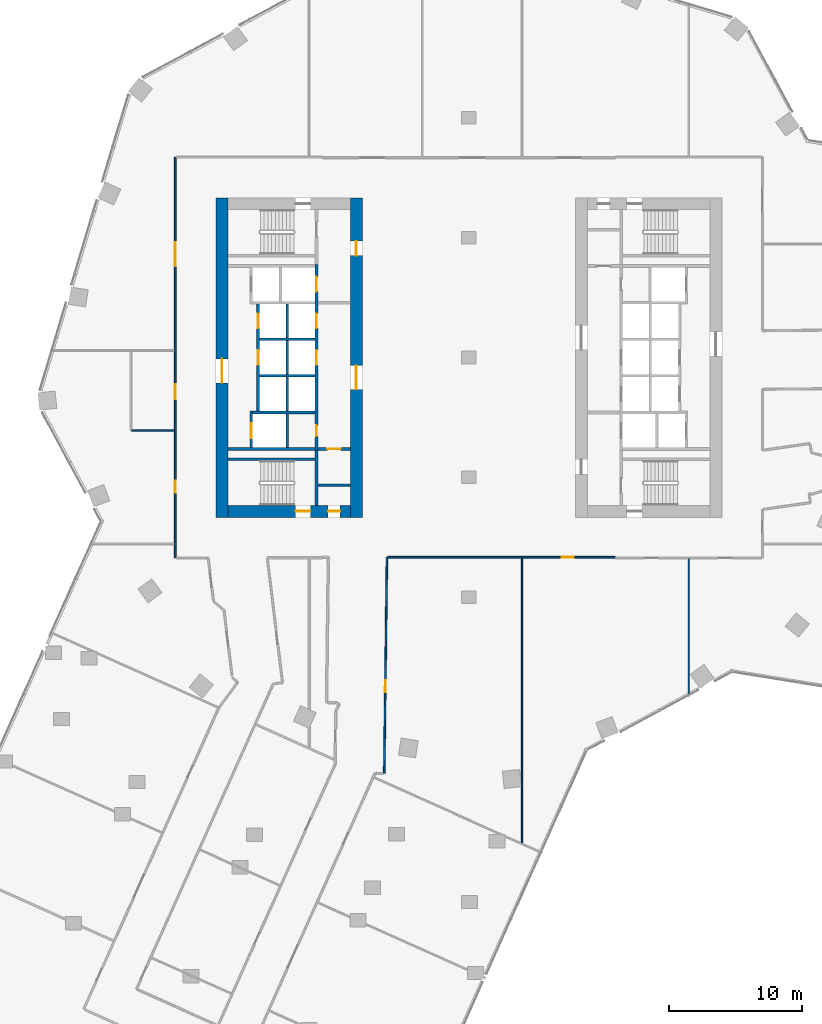
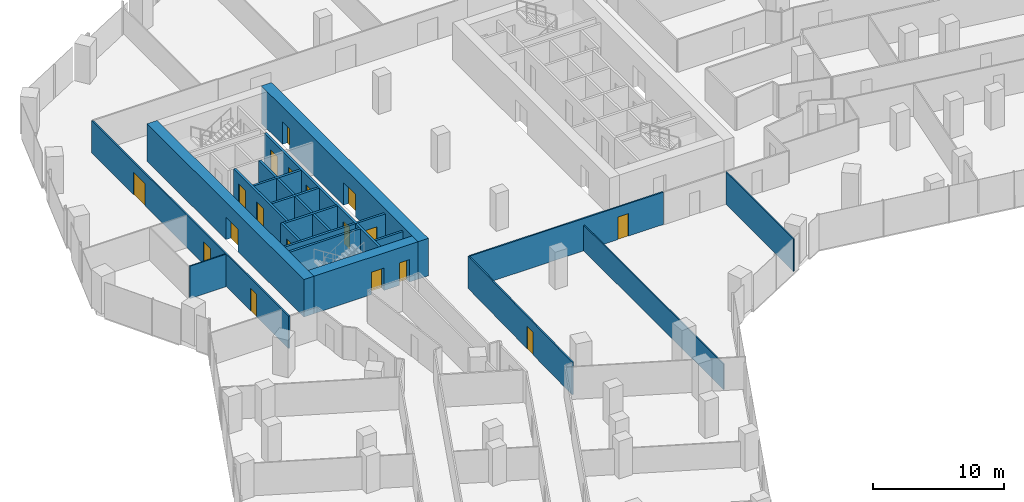
# One storey, part 26 of 34: 24 walls, 18 doors, 18 openings.
"""IFC4 building model written with IfcOpenShell, lengths in metres."""

from ifc_helpers import new_model, si_unit, direction, frame, frame_2d, origin, place, context, subcontext, project, spatial, rectangle, extrude, material, layer, layer_set, type_object, element, fill, save


model = new_model("IFC4")

# Units and contexts
model_context = context("Model", 3, precision=1e-05, world=origin(), true_north=direction((0.0, 1.0)))
body_context = subcontext(model_context, "Body", "Model", "MODEL_VIEW")
ifc_project = project(units=[si_unit("LENGTHUNIT", "METRE"), si_unit("AREAUNIT", "SQUARE_METRE"), si_unit("VOLUMEUNIT", "CUBIC_METRE"), si_unit("PLANEANGLEUNIT", "RADIAN"), si_unit("MASSUNIT", "GRAM", prefix="KILO")], contexts=[model_context])

# Site, building, storey
site_placement = place(None, origin())
site = spatial("IfcSite", under=ifc_project, at=site_placement, CompositionType="ELEMENT")
building_placement = place(site_placement, origin())
building = spatial("IfcBuilding", under=site, at=building_placement, Name="Orlundy Tower", CompositionType="ELEMENT")
storey_placement = place(building_placement, frame((0.0, 0.0, 137.699951171875)))
storey = spatial("IfcBuildingStorey", under=building, at=storey_placement, Name="L35", CompositionType="ELEMENT", Elevation=137.699951171875)

# Wall, openings, doors
ifc_material_1 = material(Name="Concrete C80/95", Category="concrete")
ifc_layer_1 = layer(ifc_material_1, 0.89990234375)
ifc_layer_set_1 = layer_set([ifc_layer_1], Name="CORE WALL 900 C80/95")
wall_type_1 = type_object("IfcWallType", Name="CORE WALL 900 C80/95", PredefinedType="SHEAR", material=ifc_layer_set_1)
wall_1_placement = place(storey_placement, frame((-18.10009765625, -11.550048828125, 0.0), z_axis=(0.0, 0.0, 1.0), x_axis=(1.0, 0.0, 0.0)))
wall_1 = element("IfcWall", 1, at=wall_1_placement, inside=storey, type_object=wall_type_1, Name="Core wall W-S L35", PredefinedType="SHEAR", context=body_context, shape_type="SweptSolid", body=[
    extrude(rectangle(XDim=9.2001953125, YDim=0.89990234375, at=frame_2d((4.60009765625, 0.0))), origin(), (0.0, 0.0, 1.0), 3.5),
])
opening_1_placement = place(wall_1_placement, frame((5.10009765625, 0.0, 0.0)))
opening_1 = element("IfcOpeningElement", 2, at=opening_1_placement, cuts=wall_1, Name="Opening 26013", PredefinedType="OPENING", context=body_context, shape_type="SweptSolid", body=[
    extrude(rectangle(XDim=1.10009765625, YDim=2.10009765625, at=frame_2d((0.550048828125, 1.050048828125))), frame((0.0, 0.4599609375, 0.0), z_axis=(0.0, -1.0, 0.0), x_axis=(1.0, 0.0, 0.0)), (0.0, 0.0, 1.0), 0.919921875),
])
opening_2_placement = place(wall_1_placement, frame((7.530029296875, 0.0, 0.0)))
opening_2 = element("IfcOpeningElement", 3, at=opening_2_placement, cuts=wall_1, Name="Opening 26015", PredefinedType="OPENING", context=body_context, shape_type="SweptSolid", body=[
    extrude(rectangle(XDim=0.89990234375, YDim=2.10009765625, at=frame_2d((0.449951171875, 1.050048828125))), frame((0.0, 0.4599609375, 0.0), z_axis=(0.0, -1.0, 0.0), x_axis=(1.0, 0.0, 0.0)), (0.0, 0.0, 1.0), 0.919921875),
])
ifc_material_2 = material(Name="Timber door set", Category="wood")
door_type_1 = type_object("IfcDoorType", Name="Room Door 900x2100", OperationType="SINGLE_SWING_LEFT", PredefinedType="DOOR", material=ifc_material_2)
door_1_placement = place(opening_2_placement, origin())
door_1 = element("IfcDoor", 4, at=door_1_placement, inside=storey, type_object=door_type_1, Name="Store door 26015", OperationType="SINGLE_SWING_RIGHT", OverallHeight=2.10009765625, OverallWidth=0.89990234375, PredefinedType="DOOR", context=body_context, shape_type="SweptSolid", body=[
    extrude(rectangle(XDim=0.89990234375, YDim=2.10009765625, at=frame_2d((0.449951171875, 1.050048828125))), frame((0.0, 0.02490234375, 0.0), z_axis=(0.0, -1.0, 0.0), x_axis=(1.0, 0.0, 0.0)), (0.0, 0.0, 1.0), 0.050048828125),
])
fill(opening_2, door_1)
ifc_material_3 = material(Name="Steel door set", Category="steel")
door_type_2 = type_object("IfcDoorType", Name="Stair Door 1100x2100", OperationType="SINGLE_SWING_LEFT", PredefinedType="DOOR", material=ifc_material_3)
door_2_placement = place(opening_1_placement, origin())
door_2 = element("IfcDoor", 5, at=door_2_placement, inside=storey, type_object=door_type_2, Name="Stair door 26013", OperationType="SINGLE_SWING_RIGHT", OverallHeight=2.10009765625, OverallWidth=1.10009765625, PredefinedType="DOOR", context=body_context, shape_type="SweptSolid", body=[
    extrude(rectangle(XDim=1.10009765625, YDim=2.10009765625, at=frame_2d((0.550048828125, 1.050048828125))), frame((0.0, 0.02490234375, 0.0), z_axis=(0.0, -1.0, 0.0), x_axis=(1.0, 0.0, 0.0)), (0.0, 0.0, 1.0), 0.050048828125),
])
fill(opening_1, door_2)

# Wall, opening, door
wall_2_placement = place(storey_placement, frame((-18.550048828125, -12.0, 0.0), z_axis=(0.0, 0.0, 1.0), x_axis=(0.0, 1.0, 0.0)))
wall_2 = element("IfcWall", 6, at=wall_2_placement, inside=storey, type_object=wall_type_1, Name="Core wall W-W L35", PredefinedType="SHEAR", context=body_context, shape_type="SweptSolid", body=[
    extrude(rectangle(XDim=24.0, YDim=0.89990234375, at=frame_2d((12.0, 0.0))), origin(), (0.0, 0.0, 1.0), 3.5),
])
opening_3_placement = place(wall_2_placement, frame((10.10009765625, 0.0, 0.0)))
opening_3 = element("IfcOpeningElement", 7, at=opening_3_placement, cuts=wall_2, Name="Opening 26010", PredefinedType="OPENING", context=body_context, shape_type="SweptSolid", body=[
    extrude(rectangle(XDim=1.800048828125, YDim=2.10009765625, at=frame_2d((0.89990234375, 1.050048828125))), frame((0.0, 0.4599609375, 0.0), z_axis=(0.0, -1.0, 0.0), x_axis=(1.0, 0.0, 0.0)), (0.0, 0.0, 1.0), 0.919921875),
])
ifc_material_4 = material(Name="Timber door set", Category="wood")
door_type_3 = type_object("IfcDoorType", Name="Lobby Door 1800x2100", OperationType="DOUBLE_DOOR_DOUBLE_SWING", PredefinedType="DOOR", material=ifc_material_4)
door_3_placement = place(opening_3_placement, origin())
door_3 = element("IfcDoor", 8, at=door_3_placement, inside=storey, type_object=door_type_3, Name="Lift lobby door 26010", OperationType="SINGLE_SWING_LEFT", OverallHeight=2.10009765625, OverallWidth=1.800048828125, PredefinedType="DOOR", context=body_context, shape_type="SweptSolid", body=[
    extrude(rectangle(XDim=1.800048828125, YDim=2.10009765625, at=frame_2d((0.89990234375, 1.050048828125))), frame((0.0, 0.02490234375, 0.0), z_axis=(0.0, -1.0, 0.0), x_axis=(1.0, 0.0, 0.0)), (0.0, 0.0, 1.0), 0.050048828125),
])
fill(opening_3, door_3)

# Wall, openings, doors
wall_3_placement = place(storey_placement, frame((-8.449951171875, -12.0, 0.0), z_axis=(0.0, 0.0, 1.0), x_axis=(0.0, 1.0, 0.0)))
wall_3 = element("IfcWall", 9, at=wall_3_placement, inside=storey, type_object=wall_type_1, Name="Core wall W-E L35", PredefinedType="SHEAR", context=body_context, shape_type="SweptSolid", body=[
    extrude(rectangle(XDim=24.0, YDim=0.89990234375, at=frame_2d((12.0, 0.0))), origin(), (0.0, 0.0, 1.0), 3.5),
])
opening_4_placement = place(wall_3_placement, frame((9.60009765625, 0.0, 0.0)))
opening_4 = element("IfcOpeningElement", 10, at=opening_4_placement, cuts=wall_3, Name="Opening 26009", PredefinedType="OPENING", context=body_context, shape_type="SweptSolid", body=[
    extrude(rectangle(XDim=1.800048828125, YDim=2.10009765625, at=frame_2d((0.89990234375, 1.050048828125))), frame((0.0, 0.4599609375, 0.0), z_axis=(0.0, -1.0, 0.0), x_axis=(1.0, 0.0, 0.0)), (0.0, 0.0, 1.0), 0.919921875),
])
opening_5_placement = place(wall_3_placement, frame((19.64990234375, 0.0, 0.0)))
opening_5 = element("IfcOpeningElement", 11, at=opening_5_placement, cuts=wall_3, Name="Opening 26011", PredefinedType="OPENING", context=body_context, shape_type="SweptSolid", body=[
    extrude(rectangle(XDim=1.10009765625, YDim=2.10009765625, at=frame_2d((0.550048828125, 1.050048828125))), frame((0.0, 0.4599609375, 0.0), z_axis=(0.0, -1.0, 0.0), x_axis=(1.0, 0.0, 0.0)), (0.0, 0.0, 1.0), 0.919921875),
])
ifc_material_5 = material(Name="Steel door set", Category="steel")
door_type_4 = type_object("IfcDoorType", Name="Fire-fighting Lobby Door 1100x2100", OperationType="SINGLE_SWING_LEFT", PredefinedType="DOOR", material=ifc_material_5)
door_4_placement = place(opening_5_placement, origin())
door_4 = element("IfcDoor", 12, at=door_4_placement, inside=storey, type_object=door_type_4, Name="Fire-fighting lobby door 26011", OperationType="SINGLE_SWING_RIGHT", OverallHeight=2.10009765625, OverallWidth=1.10009765625, PredefinedType="DOOR", context=body_context, shape_type="SweptSolid", body=[
    extrude(rectangle(XDim=1.10009765625, YDim=2.10009765625, at=frame_2d((0.550048828125, 1.050048828125))), frame((0.0, 0.02490234375, 0.0), z_axis=(0.0, -1.0, 0.0), x_axis=(1.0, 0.0, 0.0)), (0.0, 0.0, 1.0), 0.050048828125),
])
fill(opening_5, door_4)
door_5_placement = place(opening_4_placement, origin())
door_5 = element("IfcDoor", 13, at=door_5_placement, inside=storey, type_object=door_type_3, Name="Lift lobby door 26009", OperationType="SINGLE_SWING_LEFT", OverallHeight=2.10009765625, OverallWidth=1.800048828125, PredefinedType="DOOR", context=body_context, shape_type="SweptSolid", body=[
    extrude(rectangle(XDim=1.800048828125, YDim=2.10009765625, at=frame_2d((0.89990234375, 1.050048828125))), frame((0.0, 0.02490234375, 0.0), z_axis=(0.0, -1.0, 0.0), x_axis=(1.0, 0.0, 0.0)), (0.0, 0.0, 1.0), 0.050048828125),
])
fill(opening_4, door_5)

# Walls
ifc_material_6 = material(Name="Gypsum board partition")
ifc_layer_2 = layer(ifc_material_6, 0.10009765625)
ifc_layer_set_2 = layer_set([ifc_layer_2], Name="Floor partition 100")
wall_type_2 = type_object("IfcWallType", Name="Floor partition 100", PredefinedType="PARTITIONING", material=ifc_layer_set_2)
wall_4_placement = place(storey_placement, frame((-25.33203125, -5.47509765625, 0.0), z_axis=(0.0, 0.0, 1.0), x_axis=(1.0, 0.0, 0.0)))
element("IfcWall", 14, at=wall_4_placement, inside=storey, type_object=wall_type_2, Name="wall-int-L35-037", PredefinedType="PARTITIONING", context=body_context, shape_type="SweptSolid", body=[
    extrude(rectangle(XDim=3.218994140625, YDim=0.10009765625, at=frame_2d((1.609375, 0.0))), origin(), (0.0, 0.0, 1.0), 3.030029296875),
])
wall_5_placement = place(storey_placement, frame((16.52099609375, -25.458984375, 0.0), z_axis=(0.0, 0.0, 1.0), x_axis=(0.0, 1.0, 0.0)))
element("IfcWall", 15, at=wall_5_placement, inside=storey, type_object=wall_type_2, Name="wall-int-L35-079", PredefinedType="PARTITIONING", context=body_context, shape_type="SweptSolid", body=[
    extrude(rectangle(XDim=10.344970703125, YDim=0.10009765625, at=frame_2d((5.17236328125, 0.0))), origin(), (0.0, 0.0, 1.0), 3.030029296875),
])
ifc_material_7 = material(Name="Gypsum board partition")
ifc_layer_3 = layer(ifc_material_7, 0.10009765625)
ifc_layer_set_3 = layer_set([ifc_layer_3], Name="Floor partition 100 B")
wall_type_3 = type_object("IfcWallType", Name="Floor partition 100 B", PredefinedType="PARTITIONING", material=ifc_layer_set_3)
wall_6_placement = place(storey_placement, frame((4.0, -36.4560546875, 0.0), z_axis=(0.0, 0.0, 1.0), x_axis=(0.0, 1.0, 0.0)))
element("IfcWall", 16, at=wall_6_placement, inside=storey, type_object=wall_type_3, Name="wall-int-L35-081", PredefinedType="PARTITIONING", context=body_context, shape_type="SweptSolid", body=[
    extrude(rectangle(XDim=21.39306640625, YDim=0.10009765625, at=frame_2d((10.696533203125, 0.0))), origin(), (0.0, 0.0, 1.0), 2.39501953125),
])

# Wall, opening, door
ifc_material_8 = material(Name="Gypsum board partition, double layer")
ifc_layer_4 = layer(ifc_material_8, 0.125)
ifc_layer_set_4 = layer_set([ifc_layer_4], Name="Floor partition 125")
wall_type_4 = type_object("IfcWallType", Name="Floor partition 125", PredefinedType="PARTITIONING", material=ifc_layer_set_4)
wall_7_placement = place(storey_placement, frame((10.989013671875, -15.001953125, 0.0), z_axis=(0.0, 0.0, 1.0), x_axis=(-0.999999993459, 0.00011437231, 0.0)))
wall_7 = element("IfcWall", 17, at=wall_7_placement, inside=storey, type_object=wall_type_4, Name="wall-int-L35-034", PredefinedType="PARTITIONING", context=body_context, shape_type="SweptSolid", body=[
    extrude(rectangle(XDim=17.076904296875, YDim=0.125, at=frame_2d((8.53857421875, 0.0))), origin(), (0.0, 0.0, 1.0), 3.030029296875),
])
opening_6_placement = place(wall_7_placement, frame((3.098388671875, 0.0, 0.0)))
opening_6 = element("IfcOpeningElement", 18, at=opening_6_placement, cuts=wall_7, Name="Opening 26123", PredefinedType="OPENING", context=body_context, shape_type="SweptSolid", body=[
    extrude(rectangle(XDim=0.89990234375, YDim=2.10009765625, at=frame_2d((0.449951171875, 1.050048828125))), frame((0.0, 0.072509765625, 0.0), z_axis=(0.0, -1.0, 0.0), x_axis=(1.0, 0.0, 0.0)), (0.0, 0.0, 1.0), 0.14501953125),
])
ifc_material_9 = material(Name="Timber door leaf", Category="wood")
door_type_5 = type_object("IfcDoorType", Name="Floor door single 900 FD30S", OperationType="NOTDEFINED", PredefinedType="DOOR", material=ifc_material_9)
door_6_placement = place(opening_6_placement, origin())
door_6 = element("IfcDoor", 19, at=door_6_placement, inside=storey, type_object=door_type_5, Name="Door 26123", OperationType="SINGLE_SWING_LEFT", OverallHeight=2.10009765625, OverallWidth=0.89990234375, PredefinedType="DOOR", context=body_context, shape_type="SweptSolid", body=[
    extrude(rectangle(XDim=0.89990234375, YDim=2.10009765625, at=frame_2d((0.449951171875, 1.050048828125))), frame((0.0, 0.02490234375, 0.0), z_axis=(0.0, -1.0, 0.0), x_axis=(1.0, 0.0, 0.0)), (0.0, 0.0, 1.0), 0.050048828125),
])
fill(opening_6, door_6)

wall_8_placement = place(storey_placement, frame((-6.14990234375, -15.0, 0.0), z_axis=(0.0, 0.0, 1.0), x_axis=(-0.012506726311, -0.99992178784, 0.0)))
wall_8 = element("IfcWall", 20, at=wall_8_placement, inside=storey, type_object=wall_type_4, Name="wall-int-L35-073", PredefinedType="PARTITIONING", context=body_context, shape_type="SweptSolid", body=[
    extrude(rectangle(XDim=16.2412109375, YDim=0.125, at=frame_2d((8.12060546875, 0.0))), origin(), (0.0, 0.0, 1.0), 3.030029296875),
])
opening_7_placement = place(wall_8_placement, frame((9.227294921875, 0.0, 0.0)))
opening_7 = element("IfcOpeningElement", 21, at=opening_7_placement, cuts=wall_8, Name="Opening 26122", PredefinedType="OPENING", context=body_context, shape_type="SweptSolid", body=[
    extrude(rectangle(XDim=0.89990234375, YDim=2.10009765625, at=frame_2d((0.449951171875, 1.050048828125))), frame((0.0, 0.072509765625, 0.0), z_axis=(0.0, -1.0, 0.0), x_axis=(1.0, 0.0, 0.0)), (0.0, 0.0, 1.0), 0.14501953125),
])
door_7_placement = place(opening_7_placement, origin())
door_7 = element("IfcDoor", 22, at=door_7_placement, inside=storey, type_object=door_type_5, Name="Door 26122", OperationType="SINGLE_SWING_RIGHT", OverallHeight=2.10009765625, OverallWidth=0.89990234375, PredefinedType="DOOR", context=body_context, shape_type="SweptSolid", body=[
    extrude(rectangle(XDim=0.89990234375, YDim=2.10009765625, at=frame_2d((0.449951171875, 1.050048828125))), frame((0.0, 0.02490234375, 0.0), z_axis=(0.0, -1.0, 0.0), x_axis=(1.0, 0.0, 0.0)), (0.0, 0.0, 1.0), 0.050048828125),
])
fill(opening_7, door_7)

# Wall, openings, doors
wall_9_placement = place(storey_placement, frame((-22.050048828125, -15.051025390625, 0.0), z_axis=(0.0, 0.0, 1.0), x_axis=(0.0, 1.0, 0.0)))
wall_9 = element("IfcWall", 23, at=wall_9_placement, inside=storey, type_object=wall_type_4, Name="wall-int-L35-086", PredefinedType="PARTITIONING", context=body_context, shape_type="SweptSolid", body=[
    extrude(rectangle(XDim=30.10205078125, YDim=0.125, at=frame_2d((15.051025390625, 0.0))), origin(), (0.0, 0.0, 1.0), 3.030029296875),
])
opening_8_placement = place(wall_9_placement, frame((4.90087890625, 0.0, 0.0)))
opening_8 = element("IfcOpeningElement", 24, at=opening_8_placement, cuts=wall_9, Name="Opening 26117", PredefinedType="OPENING", context=body_context, shape_type="SweptSolid", body=[
    extrude(rectangle(XDim=0.89990234375, YDim=2.10009765625, at=frame_2d((0.449951171875, 1.050048828125))), frame((0.0, 0.072509765625, 0.0), z_axis=(0.0, -1.0, 0.0), x_axis=(1.0, 0.0, 0.0)), (0.0, 0.0, 1.0), 0.14501953125),
])
opening_9_placement = place(wall_9_placement, frame((21.925048828125, 0.0, 0.0)))
opening_9 = element("IfcOpeningElement", 25, at=opening_9_placement, cuts=wall_9, Name="Opening 26133", PredefinedType="OPENING", context=body_context, shape_type="SweptSolid", body=[
    extrude(rectangle(XDim=1.800048828125, YDim=2.10009765625, at=frame_2d((0.89990234375, 1.050048828125))), frame((0.0, 0.072509765625, 0.0), z_axis=(0.0, -1.0, 0.0), x_axis=(1.0, 0.0, 0.0)), (0.0, 0.0, 1.0), 0.14501953125),
])
opening_10_placement = place(wall_9_placement, frame((11.926025390625, 0.0, 0.0)))
opening_10 = element("IfcOpeningElement", 26, at=opening_10_placement, cuts=wall_9, Name="Opening 26134", PredefinedType="OPENING", context=body_context, shape_type="SweptSolid", body=[
    extrude(rectangle(XDim=1.10009765625, YDim=2.10009765625, at=frame_2d((0.550048828125, 1.050048828125))), frame((0.0, 0.072509765625, 0.0), z_axis=(0.0, -1.0, 0.0), x_axis=(1.0, 0.0, 0.0)), (0.0, 0.0, 1.0), 0.14501953125),
])
ifc_material_10 = material(Name="Timber door leaf", Category="wood")
door_type_6 = type_object("IfcDoorType", Name="Floor door double 1800 FD30S", OperationType="NOTDEFINED", PredefinedType="DOOR", material=ifc_material_10)
door_8_placement = place(opening_9_placement, origin())
door_8 = element("IfcDoor", 27, at=door_8_placement, inside=storey, type_object=door_type_6, Name="Door 26133", OperationType="DOUBLE_DOOR_SINGLE_SWING", OverallHeight=2.10009765625, OverallWidth=1.800048828125, PredefinedType="DOOR", context=body_context, shape_type="SweptSolid", body=[
    extrude(rectangle(XDim=1.800048828125, YDim=2.10009765625, at=frame_2d((0.89990234375, 1.050048828125))), frame((0.0, 0.02490234375, 0.0), z_axis=(0.0, -1.0, 0.0), x_axis=(1.0, 0.0, 0.0)), (0.0, 0.0, 1.0), 0.050048828125),
])
fill(opening_9, door_8)
door_9_placement = place(opening_8_placement, origin())
door_9 = element("IfcDoor", 28, at=door_9_placement, inside=storey, type_object=door_type_5, Name="Door 26117", OperationType="SINGLE_SWING_LEFT", OverallHeight=2.10009765625, OverallWidth=0.89990234375, PredefinedType="DOOR", context=body_context, shape_type="SweptSolid", body=[
    extrude(rectangle(XDim=0.89990234375, YDim=2.10009765625, at=frame_2d((0.449951171875, 1.050048828125))), frame((0.0, 0.02490234375, 0.0), z_axis=(0.0, -1.0, 0.0), x_axis=(1.0, 0.0, 0.0)), (0.0, 0.0, 1.0), 0.050048828125),
])
fill(opening_8, door_9)
ifc_material_11 = material(Name="Timber door leaf", Category="wood")
door_type_7 = type_object("IfcDoorType", Name="Floor door xwide 1100 FD30S", OperationType="NOTDEFINED", PredefinedType="DOOR", material=ifc_material_11)
door_10_placement = place(opening_10_placement, origin())
door_10 = element("IfcDoor", 29, at=door_10_placement, inside=storey, type_object=door_type_7, Name="Door 26134", OperationType="SINGLE_SWING_LEFT", OverallHeight=2.10009765625, OverallWidth=1.10009765625, PredefinedType="DOOR", context=body_context, shape_type="SweptSolid", body=[
    extrude(rectangle(XDim=1.10009765625, YDim=2.10009765625, at=frame_2d((0.550048828125, 1.050048828125))), frame((0.0, 0.02490234375, 0.0), z_axis=(0.0, -1.0, 0.0), x_axis=(1.0, 0.0, 0.0)), (0.0, 0.0, 1.0), 0.050048828125),
])
fill(opening_10, door_10)

# Walls
ifc_material_12 = material(Name="Concrete C40/50", Category="concrete")
ifc_layer_5 = layer(ifc_material_12, 0.199951171875)
ifc_layer_set_5 = layer_set([ifc_layer_5], Name="Load-bearing Shaft Wall 200")
wall_type_5 = type_object("IfcWallType", Name="Load-bearing Shaft Wall 200", PredefinedType="SOLIDWALL", material=ifc_layer_set_5)
for number, where, z_axis, x_axis, name in (
    (30, (-11.5400390625, -1.375, 0.0), (0.0, 0.0, 1.0), (-1.0, 0.0, 0.0), "Shaft wall W26-cross-1.375"),
    (31, (-11.5400390625, 1.375, 0.0), (0.0, 0.0, 1.0), (-1.0, 0.0, 0.0), "Shaft wall W26-cross+1.375"),
):
    element("IfcWall", number, at=place(storey_placement, frame(where, z_axis=z_axis, x_axis=x_axis)), inside=storey, type_object=wall_type_5, Name=name, PredefinedType="SOLIDWALL", context=body_context, shape_type="SweptSolid", body=[
        extrude(rectangle(XDim=4.199951171875, YDim=0.199951171875, at=frame_2d((2.10009765625, 0.0))), origin(), (0.0, 0.0, 1.0), 3.050048828125),
    ])

# Wall, openings, doors
wall_10_placement = place(storey_placement, frame((-11.43994140625, -6.97509765625, 0.0), z_axis=(0.0, 0.0, 1.0), x_axis=(0.0, 1.0, 0.0)))
wall_10 = element("IfcWall", 32, at=wall_10_placement, inside=storey, type_object=wall_type_5, Name="Shaft wall W26-front-h", PredefinedType="SOLIDWALL", context=body_context, shape_type="SweptSolid", body=[
    extrude(rectangle(XDim=13.9501953125, YDim=0.199951171875, at=frame_2d((6.97509765625, 0.0))), origin(), (0.0, 0.0, 1.0), 3.050048828125),
])
opening_11_placement = place(wall_10_placement, frame((6.425048828125, 0.0, 0.0)))
opening_11 = element("IfcOpeningElement", 33, at=opening_11_placement, cuts=wall_10, Name="Opening 26002", PredefinedType="OPENING", context=body_context, shape_type="SweptSolid", body=[
    extrude(rectangle(XDim=1.10009765625, YDim=2.10009765625, at=frame_2d((0.550048828125, 1.050048828125))), frame((0.0, 0.110107421875, 0.0), z_axis=(0.0, -1.0, 0.0), x_axis=(1.0, 0.0, 0.0)), (0.0, 0.0, 1.0), 0.22021484375),
])
opening_12_placement = place(wall_10_placement, frame((9.175048828125, 0.0, 0.0)))
opening_12 = element("IfcOpeningElement", 34, at=opening_12_placement, cuts=wall_10, Name="Opening 26004", PredefinedType="OPENING", context=body_context, shape_type="SweptSolid", body=[
    extrude(rectangle(XDim=1.10009765625, YDim=2.10009765625, at=frame_2d((0.550048828125, 1.050048828125))), frame((0.0, 0.110107421875, 0.0), z_axis=(0.0, -1.0, 0.0), x_axis=(1.0, 0.0, 0.0)), (0.0, 0.0, 1.0), 0.22021484375),
])
opening_13_placement = place(wall_10_placement, frame((11.925048828125, 0.0, 0.0)))
opening_13 = element("IfcOpeningElement", 35, at=opening_13_placement, cuts=wall_10, Name="Opening 26006", PredefinedType="OPENING", context=body_context, shape_type="SweptSolid", body=[
    extrude(rectangle(XDim=1.10009765625, YDim=2.10009765625, at=frame_2d((0.550048828125, 1.050048828125))), frame((0.0, 0.110107421875, 0.0), z_axis=(0.0, -1.0, 0.0), x_axis=(1.0, 0.0, 0.0)), (0.0, 0.0, 1.0), 0.22021484375),
])
opening_14_placement = place(wall_10_placement, frame((1.074951171875, 0.0, 0.0)))
opening_14 = element("IfcOpeningElement", 36, at=opening_14_placement, cuts=wall_10, Name="Opening 26008", PredefinedType="OPENING", context=body_context, shape_type="SweptSolid", body=[
    extrude(rectangle(XDim=0.800048828125, YDim=2.10009765625, at=frame_2d((0.39990234375, 1.050048828125))), frame((0.0, 0.110107421875, 0.0), z_axis=(0.0, -1.0, 0.0), x_axis=(1.0, 0.0, 0.0)), (0.0, 0.0, 1.0), 0.22021484375),
])
ifc_material_13 = material(Name="Steel door set", Category="steel")
door_type_8 = type_object("IfcDoorType", Name="Landing Door 1100x2100", OperationType="DOUBLE_DOOR_SLIDING", PredefinedType="DOOR", material=ifc_material_13)
door_11_placement = place(opening_11_placement, origin())
door_11 = element("IfcDoor", 37, at=door_11_placement, inside=storey, type_object=door_type_8, Name="Lift landing door LP-05 26002", OperationType="DOUBLE_DOOR_SLIDING", OverallHeight=2.10009765625, OverallWidth=1.10009765625, PredefinedType="DOOR", context=body_context, shape_type="SweptSolid", body=[
    extrude(rectangle(XDim=1.10009765625, YDim=2.10009765625, at=frame_2d((0.550048828125, 1.050048828125))), frame((0.0, 0.02490234375, 0.0), z_axis=(0.0, -1.0, 0.0), x_axis=(1.0, 0.0, 0.0)), (0.0, 0.0, 1.0), 0.050048828125),
])
fill(opening_11, door_11)
door_12_placement = place(opening_12_placement, origin())
door_12 = element("IfcDoor", 38, at=door_12_placement, inside=storey, type_object=door_type_8, Name="Lift landing door LP-02 26004", OperationType="DOUBLE_DOOR_SLIDING", OverallHeight=2.10009765625, OverallWidth=1.10009765625, PredefinedType="DOOR", context=body_context, shape_type="SweptSolid", body=[
    extrude(rectangle(XDim=1.10009765625, YDim=2.10009765625, at=frame_2d((0.550048828125, 1.050048828125))), frame((0.0, 0.02490234375, 0.0), z_axis=(0.0, -1.0, 0.0), x_axis=(1.0, 0.0, 0.0)), (0.0, 0.0, 1.0), 0.050048828125),
])
fill(opening_12, door_12)
door_13_placement = place(opening_13_placement, origin())
door_13 = element("IfcDoor", 39, at=door_13_placement, inside=storey, type_object=door_type_8, Name="Lift landing door FL1 26006", OperationType="DOUBLE_DOOR_SLIDING", OverallHeight=2.10009765625, OverallWidth=1.10009765625, PredefinedType="DOOR", context=body_context, shape_type="SweptSolid", body=[
    extrude(rectangle(XDim=1.10009765625, YDim=2.10009765625, at=frame_2d((0.550048828125, 1.050048828125))), frame((0.0, 0.02490234375, 0.0), z_axis=(0.0, -1.0, 0.0), x_axis=(1.0, 0.0, 0.0)), (0.0, 0.0, 1.0), 0.050048828125),
])
fill(opening_13, door_13)
ifc_material_14 = material(Name="Timber door set", Category="wood")
door_type_9 = type_object("IfcDoorType", Name="Riser Door 800x2100", OperationType="SINGLE_SWING_LEFT", PredefinedType="DOOR", material=ifc_material_14)
door_14_placement = place(opening_14_placement, origin())
door_14 = element("IfcDoor", 40, at=door_14_placement, inside=storey, type_object=door_type_9, Name="Telecom Room door 26008", OperationType="SINGLE_SWING_LEFT", OverallHeight=2.10009765625, OverallWidth=0.800048828125, PredefinedType="DOOR", context=body_context, shape_type="SweptSolid", body=[
    extrude(rectangle(XDim=0.800048828125, YDim=2.10009765625, at=frame_2d((0.39990234375, 1.050048828125))), frame((0.0, 0.02490234375, 0.0), z_axis=(0.0, -1.0, 0.0), x_axis=(1.0, 0.0, 0.0)), (0.0, 0.0, 1.0), 0.050048828125),
])
fill(opening_14, door_14)

# Walls
for number, where, z_axis, x_axis, name in (
    (41, (-13.639892578125, -4.02490234375, 0.0), (0.0, 0.0, 1.0), (0.0, 1.0, 0.0), "Shaft wall W26-mid-a.1"),
    (42, (-13.639892578125, -1.27490234375, 0.0), (0.0, 0.0, 1.0), (0.0, 1.0, 0.0), "Shaft wall W26-mid-a.2"),
    (43, (-13.639892578125, 1.47509765625, 0.0), (0.0, 0.0, 1.0), (0.0, 1.0, 0.0), "Shaft wall W26-mid-a.3"),
):
    element("IfcWall", number, at=place(storey_placement, frame(where, z_axis=z_axis, x_axis=x_axis)), inside=storey, type_object=wall_type_5, Name=name, PredefinedType="SOLIDWALL", context=body_context, shape_type="SweptSolid", body=[
        extrude(rectangle(XDim=2.5498046875, YDim=0.199951171875, at=frame_2d((1.27490234375, 0.0))), origin(), (0.0, 0.0, 1.0), 3.050048828125),
    ])

# Wall, openings, doors
wall_11_placement = place(storey_placement, frame((-15.840087890625, -4.02490234375, 0.0), z_axis=(0.0, 0.0, 1.0), x_axis=(0.0, 1.0, 0.0)))
wall_11 = element("IfcWall", 44, at=wall_11_placement, inside=storey, type_object=wall_type_5, Name="Shaft wall W26-front-o-b", PredefinedType="SOLIDWALL", context=body_context, shape_type="SweptSolid", body=[
    extrude(rectangle(XDim=8.0498046875, YDim=0.199951171875, at=frame_2d((4.02490234375, 0.0))), origin(), (0.0, 0.0, 1.0), 3.050048828125),
])
opening_15_placement = place(wall_11_placement, frame((3.47509765625, 0.0, 0.0)))
opening_15 = element("IfcOpeningElement", 45, at=opening_15_placement, cuts=wall_11, Name="Opening 26003", PredefinedType="OPENING", context=body_context, shape_type="SweptSolid", body=[
    extrude(rectangle(XDim=1.10009765625, YDim=2.10009765625, at=frame_2d((0.550048828125, 1.050048828125))), frame((0.0, 0.110107421875, 0.0), z_axis=(0.0, -1.0, 0.0), x_axis=(1.0, 0.0, 0.0)), (0.0, 0.0, 1.0), 0.22021484375),
])
opening_16_placement = place(wall_11_placement, frame((6.22509765625, 0.0, 0.0)))
opening_16 = element("IfcOpeningElement", 46, at=opening_16_placement, cuts=wall_11, Name="Opening 26005", PredefinedType="OPENING", context=body_context, shape_type="SweptSolid", body=[
    extrude(rectangle(XDim=1.10009765625, YDim=2.10009765625, at=frame_2d((0.550048828125, 1.050048828125))), frame((0.0, 0.110107421875, 0.0), z_axis=(0.0, -1.0, 0.0), x_axis=(1.0, 0.0, 0.0)), (0.0, 0.0, 1.0), 0.22021484375),
])
door_15_placement = place(opening_15_placement, origin())
door_15 = element("IfcDoor", 47, at=door_15_placement, inside=storey, type_object=door_type_8, Name="Lift landing door LP-01 26003", OperationType="DOUBLE_DOOR_SLIDING", OverallHeight=2.10009765625, OverallWidth=1.10009765625, PredefinedType="DOOR", context=body_context, shape_type="SweptSolid", body=[
    extrude(rectangle(XDim=1.10009765625, YDim=2.10009765625, at=frame_2d((0.550048828125, 1.050048828125))), frame((0.0, 0.02490234375, 0.0), z_axis=(0.0, -1.0, 0.0), x_axis=(1.0, 0.0, 0.0)), (0.0, 0.0, 1.0), 0.050048828125),
])
fill(opening_15, door_15)
door_16_placement = place(opening_16_placement, origin())
door_16 = element("IfcDoor", 48, at=door_16_placement, inside=storey, type_object=door_type_8, Name="Lift landing door LP-03 26005", OperationType="DOUBLE_DOOR_SLIDING", OverallHeight=2.10009765625, OverallWidth=1.10009765625, PredefinedType="DOOR", context=body_context, shape_type="SweptSolid", body=[
    extrude(rectangle(XDim=1.10009765625, YDim=2.10009765625, at=frame_2d((0.550048828125, 1.050048828125))), frame((0.0, 0.02490234375, 0.0), z_axis=(0.0, -1.0, 0.0), x_axis=(1.0, 0.0, 0.0)), (0.0, 0.0, 1.0), 0.050048828125),
])
fill(opening_16, door_16)

# Walls
wall_12_placement = place(storey_placement, frame((-11.43994140625, -11.10009765625, 0.0), z_axis=(0.0, 0.0, 1.0), x_axis=(0.0, 1.0, 0.0)))
element("IfcWall", 49, at=wall_12_placement, inside=storey, type_object=wall_type_5, Name="Shaft wall W26-stair-end-s", PredefinedType="SOLIDWALL", context=body_context, shape_type="SweptSolid", body=[
    extrude(rectangle(XDim=4.125, YDim=0.199951171875, at=frame_2d((2.0625, 0.0))), origin(), (0.0, 0.0, 1.0), 3.050048828125),
])
wall_13_placement = place(storey_placement, frame((-11.5400390625, -7.64990234375, 0.0), z_axis=(0.0, 0.0, 1.0), x_axis=(-1.0, 0.0, 0.0)))
element("IfcWall", 50, at=wall_13_placement, inside=storey, type_object=wall_type_5, Name="Shaft wall W26-stair-side-s", PredefinedType="SOLIDWALL", context=body_context, shape_type="SweptSolid", body=[
    extrude(rectangle(XDim=6.56005859375, YDim=0.199951171875, at=frame_2d((3.280029296875, 0.0))), origin(), (0.0, 0.0, 1.0), 3.050048828125),
])

# Wall, opening, door
ifc_material_15 = material(Name="Gypsum board partition on steel studs", Category="steel")
ifc_layer_6 = layer(ifc_material_15, 0.199951171875)
ifc_layer_set_6 = layer_set([ifc_layer_6], Name="Partition 200")
wall_type_6 = type_object("IfcWallType", Name="Partition 200", PredefinedType="PARTITIONING", material=ifc_layer_set_6)
wall_14_placement = place(storey_placement, frame((-8.89990234375, -6.875, 0.0), z_axis=(0.0, 0.0, 1.0), x_axis=(-1.0, 0.0, 0.0)))
wall_14 = element("IfcWall", 51, at=wall_14_placement, inside=storey, type_object=wall_type_6, Name="Partition wall W26-end-s", PredefinedType="PARTITIONING", context=body_context, shape_type="SweptSolid", body=[
    extrude(rectangle(XDim=2.440185546875, YDim=0.199951171875, at=frame_2d((1.22021484375, 0.0))), origin(), (0.0, 0.0, 1.0), 3.050048828125),
])
opening_17_placement = place(wall_14_placement, frame((0.719970703125, 0.0, 0.0)))
opening_17 = element("IfcOpeningElement", 52, at=opening_17_placement, cuts=wall_14, Name="Opening 26016", PredefinedType="OPENING", context=body_context, shape_type="SweptSolid", body=[
    extrude(rectangle(XDim=1.0, YDim=2.10009765625, at=frame_2d((0.5, 1.050048828125))), frame((0.0, 0.110107421875, 0.0), z_axis=(0.0, -1.0, 0.0), x_axis=(1.0, 0.0, 0.0)), (0.0, 0.0, 1.0), 0.22021484375),
])
ifc_material_16 = material(Name="Timber door set", Category="wood")
door_type_10 = type_object("IfcDoorType", Name="Accessible Door 1000x2100", OperationType="SINGLE_SWING_LEFT", PredefinedType="DOOR", material=ifc_material_16)
door_17_placement = place(opening_17_placement, origin())
door_17 = element("IfcDoor", 53, at=door_17_placement, inside=storey, type_object=door_type_10, Name="Accessible WC door 26016", OperationType="SINGLE_SWING_RIGHT", OverallHeight=2.10009765625, OverallWidth=1.0, PredefinedType="DOOR", context=body_context, shape_type="SweptSolid", body=[
    extrude(rectangle(XDim=1.0, YDim=2.10009765625, at=frame_2d((0.5, 1.050048828125))), frame((0.0, 0.02490234375, 0.0), z_axis=(0.0, -1.0, 0.0), x_axis=(1.0, 0.0, 0.0)), (0.0, 0.0, 1.0), 0.050048828125),
])
fill(opening_17, door_17)

# Walls
wall_15_placement = place(storey_placement, frame((-8.89990234375, -9.60009765625, 0.0), z_axis=(0.0, 0.0, 1.0), x_axis=(-1.0, 0.0, 0.0)))
element("IfcWall", 54, at=wall_15_placement, inside=storey, type_object=wall_type_6, Name="Partition wall W26-room-s0", PredefinedType="PARTITIONING", context=body_context, shape_type="SweptSolid", body=[
    extrude(rectangle(XDim=2.440185546875, YDim=0.199951171875, at=frame_2d((1.22021484375, 0.0))), origin(), (0.0, 0.0, 1.0), 3.050048828125),
])
ifc_material_17 = material(Name="Fire-rated blockwork shaft wall", Category="masonry")
ifc_layer_7 = layer(ifc_material_17, 0.199951171875)
ifc_layer_set_7 = layer_set([ifc_layer_7], Name="Shaft Wall 200")
wall_type_7 = type_object("IfcWallType", Name="Shaft Wall 200", PredefinedType="SOLIDWALL", material=ifc_layer_set_7)
wall_16_placement = place(storey_placement, frame((-11.5400390625, -6.875, 0.0), z_axis=(0.0, 0.0, 1.0), x_axis=(-1.0, 0.0, 0.0)))
element("IfcWall", 55, at=wall_16_placement, inside=storey, type_object=wall_type_7, Name="Shaft wall W26-zone-s", PredefinedType="SOLIDWALL", context=body_context, shape_type="SweptSolid", body=[
    extrude(rectangle(XDim=6.56005859375, YDim=0.199951171875, at=frame_2d((3.280029296875, 0.0))), origin(), (0.0, 0.0, 1.0), 3.050048828125),
])
wall_17_placement = place(storey_placement, frame((-11.5400390625, -4.125, 0.0), z_axis=(0.0, 0.0, 1.0), x_axis=(-1.0, 0.0, 0.0)))
element("IfcWall", 56, at=wall_17_placement, inside=storey, type_object=wall_type_7, Name="Shaft wall W26-cross-4.125", PredefinedType="SOLIDWALL", context=body_context, shape_type="SweptSolid", body=[
    extrude(rectangle(XDim=4.699951171875, YDim=0.199951171875, at=frame_2d((2.35009765625, 0.0))), origin(), (0.0, 0.0, 1.0), 3.050048828125),
])
wall_18_placement = place(storey_placement, frame((-13.639892578125, -6.77490234375, 0.0), z_axis=(0.0, 0.0, 1.0), x_axis=(0.0, 1.0, 0.0)))
element("IfcWall", 57, at=wall_18_placement, inside=storey, type_object=wall_type_7, Name="Shaft wall W26-mid-a", PredefinedType="SOLIDWALL", context=body_context, shape_type="SweptSolid", body=[
    extrude(rectangle(XDim=2.5498046875, YDim=0.199951171875, at=frame_2d((1.27490234375, 0.0))), origin(), (0.0, 0.0, 1.0), 3.050048828125),
])

# Wall, opening, door
wall_19_placement = place(storey_placement, frame((-16.340087890625, -6.77490234375, 0.0), z_axis=(0.0, 0.0, 1.0), x_axis=(0.0, 1.0, 0.0)))
wall_19 = element("IfcWall", 58, at=wall_19_placement, inside=storey, type_object=wall_type_7, Name="Shaft wall W26-front-o-a", PredefinedType="SOLIDWALL", context=body_context, shape_type="SweptSolid", body=[
    extrude(rectangle(XDim=2.75, YDim=0.199951171875, at=frame_2d((1.375, 0.0))), origin(), (0.0, 0.0, 1.0), 3.050048828125),
])
opening_18_placement = place(wall_19_placement, frame((0.72509765625, 0.0, 0.0)))
opening_18 = element("IfcOpeningElement", 59, at=opening_18_placement, cuts=wall_19, Name="Opening 26001", PredefinedType="OPENING", context=body_context, shape_type="SweptSolid", body=[
    extrude(rectangle(XDim=1.10009765625, YDim=2.10009765625, at=frame_2d((0.550048828125, 1.050048828125))), frame((0.0, 0.110107421875, 0.0), z_axis=(0.0, -1.0, 0.0), x_axis=(1.0, 0.0, 0.0)), (0.0, 0.0, 1.0), 0.22021484375),
])
door_18_placement = place(opening_18_placement, origin())
door_18 = element("IfcDoor", 60, at=door_18_placement, inside=storey, type_object=door_type_8, Name="Lift landing door LV-01 26001", OperationType="DOUBLE_DOOR_SLIDING", OverallHeight=2.10009765625, OverallWidth=1.10009765625, PredefinedType="DOOR", context=body_context, shape_type="SweptSolid", body=[
    extrude(rectangle(XDim=1.10009765625, YDim=2.10009765625, at=frame_2d((0.550048828125, 1.050048828125))), frame((0.0, 0.02490234375, 0.0), z_axis=(0.0, -1.0, 0.0), x_axis=(1.0, 0.0, 0.0)), (0.0, 0.0, 1.0), 0.050048828125),
])
fill(opening_18, door_18)

save(model, "model.ifc")
